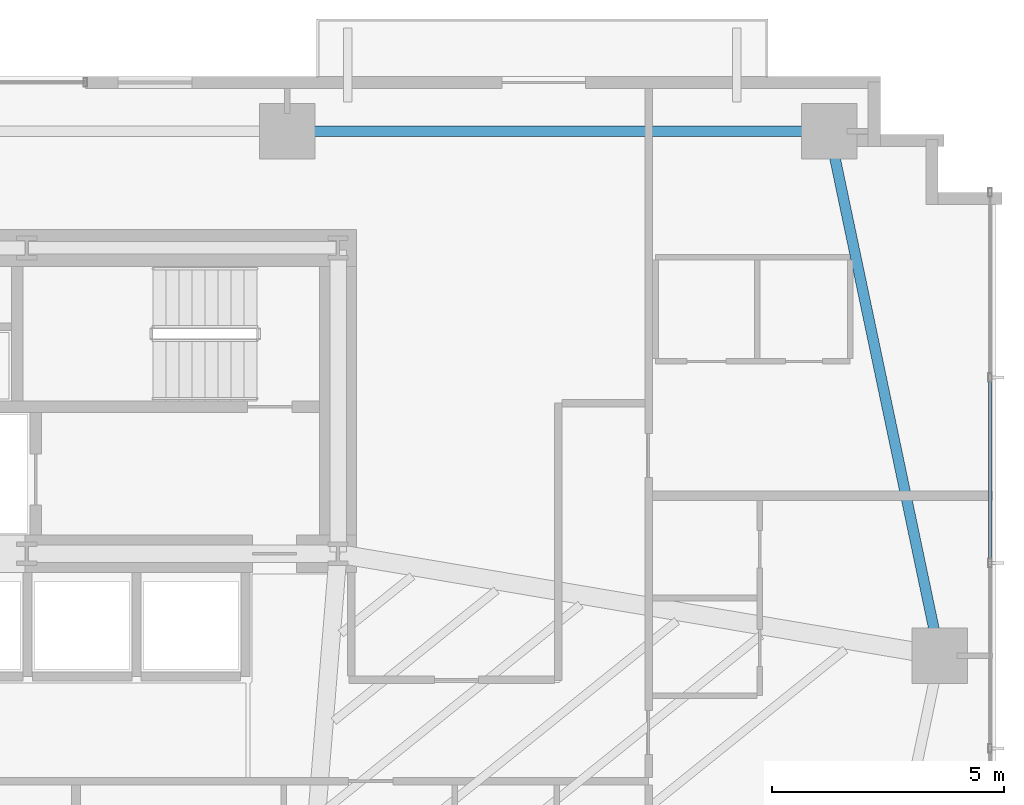
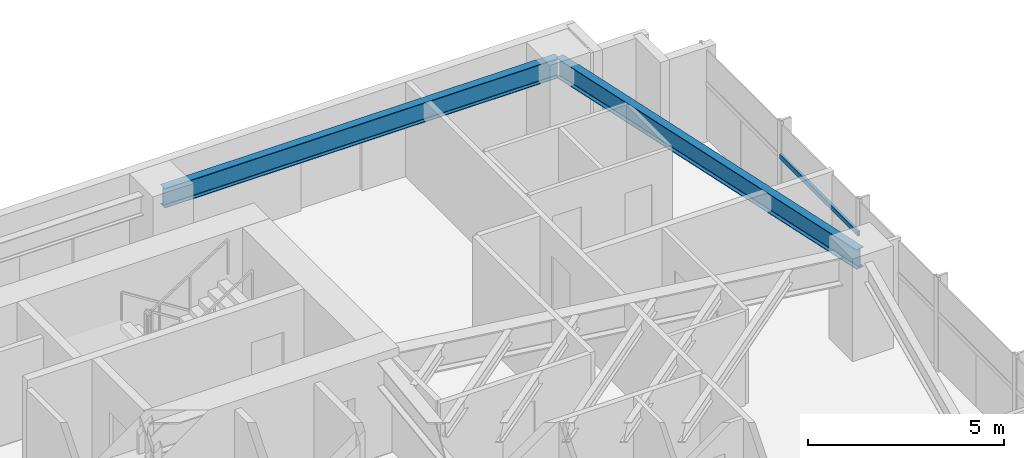
# One storey, part 16 of 25: 2 beams, 1 member, 1 element without a shape of its own.
"""IFC4 building model written with IfcOpenShell, lengths in metres."""

from ifc_helpers import new_model, si_unit, direction, frame, origin, origin_2d, place, context, subcontext, project, spatial, hollow_rectangle, i_section, extrude, source, transform, mapped, material, material_profile, profile_set, type_object, type_shapes, element, aggregate, save


model = new_model("IFC4")

# Units and contexts
model_context = context("Model", 3, precision=1e-05, world=origin(), true_north=direction((0.0, 1.0)))
body_context = subcontext(model_context, "Body", "Model", "MODEL_VIEW")
ifc_project = project(units=[si_unit("LENGTHUNIT", "METRE"), si_unit("AREAUNIT", "SQUARE_METRE"), si_unit("VOLUMEUNIT", "CUBIC_METRE"), si_unit("PLANEANGLEUNIT", "RADIAN"), si_unit("MASSUNIT", "GRAM", prefix="KILO")], contexts=[model_context])

# Site, building, storey
site_placement = place(None, origin())
site = spatial("IfcSite", under=ifc_project, at=site_placement, CompositionType="ELEMENT")
building_placement = place(site_placement, origin())
building = spatial("IfcBuilding", under=site, at=building_placement, Name="Astriad Promenade Condominiums", CompositionType="ELEMENT")
storey_placement = place(building_placement, frame((0.0, 0.0, 61.39990234375)))
storey = spatial("IfcBuildingStorey", under=building, at=storey_placement, Name="L17", CompositionType="ELEMENT", Elevation=61.39990234375)

# Beams
ifc_material_1 = material(Name="Steel ASTM A992 Grade 50", Category="steel")
ifc_material_profile_1 = material_profile(ifc_material_1, i_section(OverallWidth=0.22900390625, OverallDepth=0.612060546875, WebThickness=0.011962890625, FlangeThickness=0.01953125, FilletRadius=0.017822265625, at=origin_2d()), Name="W24X84")
ifc_profile_set_1 = profile_set([ifc_material_profile_1], Name="Steel ASTM A992 Grade 50")
beam_type = type_object("IfcBeamType", Name="STEEL SPANDREL BEAM W24X84", PredefinedType="SPANDREL", material=ifc_profile_set_1)
shared_shape_1 = source(origin(), body_context, "Body", "SweptSolid", [
    extrude(i_section(OverallWidth=0.22900390625, OverallDepth=0.612060546875, WebThickness=0.011962890625, FlangeThickness=0.01953125, FilletRadius=0.017822265625, at=origin_2d()), origin(), (0.0, 0.0, 1.0), 11.619873046875),
])
beam_1_placement = place(storey_placement, frame((56.159912109375, 26.52001953125, 2.634033203125), z_axis=(-1.0, 0.0, 0.0), x_axis=(0.0, -1.0, 0.0)))
element("IfcBeam", 1, at=beam_1_placement, inside=storey, type_object=beam_type, Name="Perimeter Spandrel Beam SP-N4-L17", PredefinedType="SPANDREL", context=body_context, shape_type="MappedRepresentation", body=[
    mapped(shared_shape_1, transform((0.0, 0.0, 0.0), scale=1.0)),
])
shared_shape_2 = source(origin(), body_context, "Body", "SweptSolid", [
    extrude(i_section(OverallWidth=0.22900390625, OverallDepth=0.612060546875, WebThickness=0.011962890625, FlangeThickness=0.01953125, FilletRadius=0.017822265625, at=origin_2d()), origin(), (0.0, 0.0, 1.0), 11.48779296875),
])
type_shapes(beam_type, [shared_shape_1, shared_shape_2])
beam_2_placement = place(storey_placement, frame((58.57177734375, 15.239013671875, 2.634033203125), z_axis=(-0.205743776427, 0.978605895374, 0.0), x_axis=(-0.978605895374, -0.205743776427, 0.0)))
element("IfcBeam", 2, at=beam_2_placement, inside=storey, type_object=beam_type, Name="Perimeter Spandrel Beam SP-E2-L17", PredefinedType="SPANDREL", context=body_context, shape_type="MappedRepresentation", body=[
    mapped(shared_shape_2, transform((0.0, 0.0, 0.0), scale=1.0)),
])

# Curtain wall, member
ifc_material_2 = material(Name="Anodised aluminium Black Dark Glass Unitised", Category="aluminium")
curtain_wall_type = type_object("IfcCurtainWallType", Name="CW-B1-DARK", PredefinedType="USERDEFINED", material=ifc_material_2)
curtain_wall_placement = place(storey_placement, origin())
curtain_wall = element("IfcCurtainWall", 3, at=curtain_wall_placement, inside=storey, type_object=curtain_wall_type, Name="CW-L17-E", ObjectType="UNITISED_CURTAIN_WALL", PredefinedType="USERDEFINED")
ifc_material_3 = material(Name="Anodised aluminium 6063-T6 Black", Category="aluminium")
ifc_material_profile_2 = material_profile(ifc_material_3, hollow_rectangle(XDim=0.074951171875, YDim=0.14990234375, WallThickness=0.004150390625, at=origin_2d()), Name="ALU-TRN-75X150")
ifc_profile_set_2 = profile_set([ifc_material_profile_2], Name="Anodised aluminium 6063-T6 Black")
member_type = type_object("IfcMemberType", Name="TRN-ALU-TRN-75X150", PredefinedType="USERDEFINED", material=ifc_profile_set_2)
shared_shape_3 = source(origin(), body_context, "Body", "SweptSolid", [
    extrude(hollow_rectangle(XDim=0.074951171875, YDim=0.14990234375, WallThickness=0.004150390625, at=origin_2d()), origin(), (0.0, 0.0, 1.0), 4.0),
])
type_shapes(member_type, [shared_shape_3])
member_placement = place(storey_placement, frame((59.669921875, 21.199951171875, 1.822998046875), z_axis=(0.0, -1.0, 0.0), x_axis=(1.0, 0.0, 0.0)))
member = element("IfcMember", 4, at=member_placement, type_object=member_type, Name="CW-L17-E-TRN-01-0", ObjectType="TRANSOM", PredefinedType="USERDEFINED", context=body_context, shape_type="MappedRepresentation", body=[
    mapped(shared_shape_3, transform((0.0, 0.0, 0.0), scale=1.0)),
])
aggregate(curtain_wall, [member])

save(model, "model.ifc")
